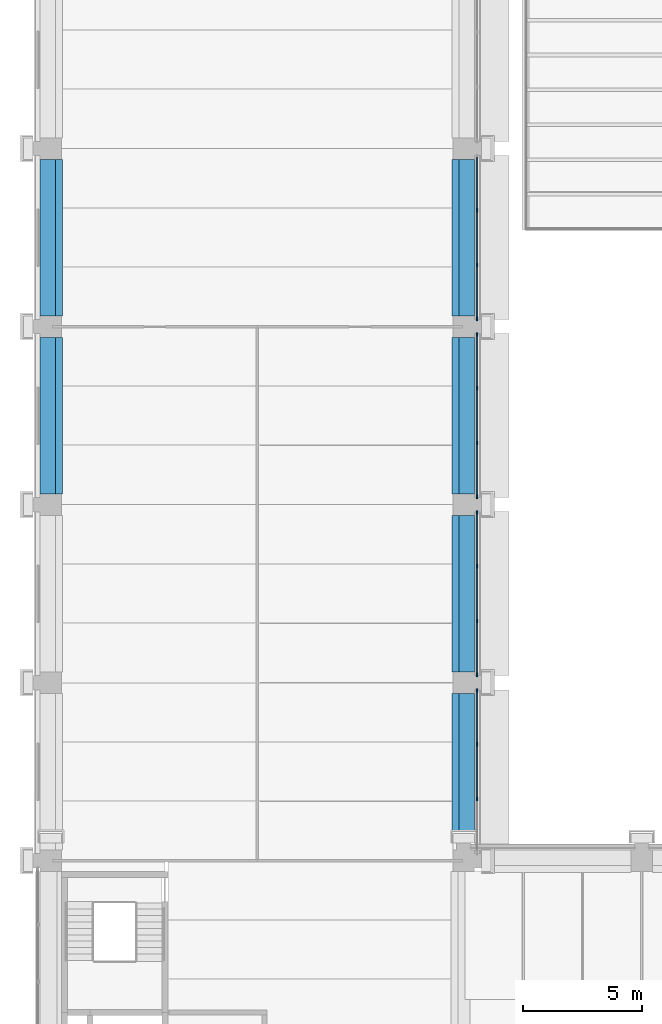
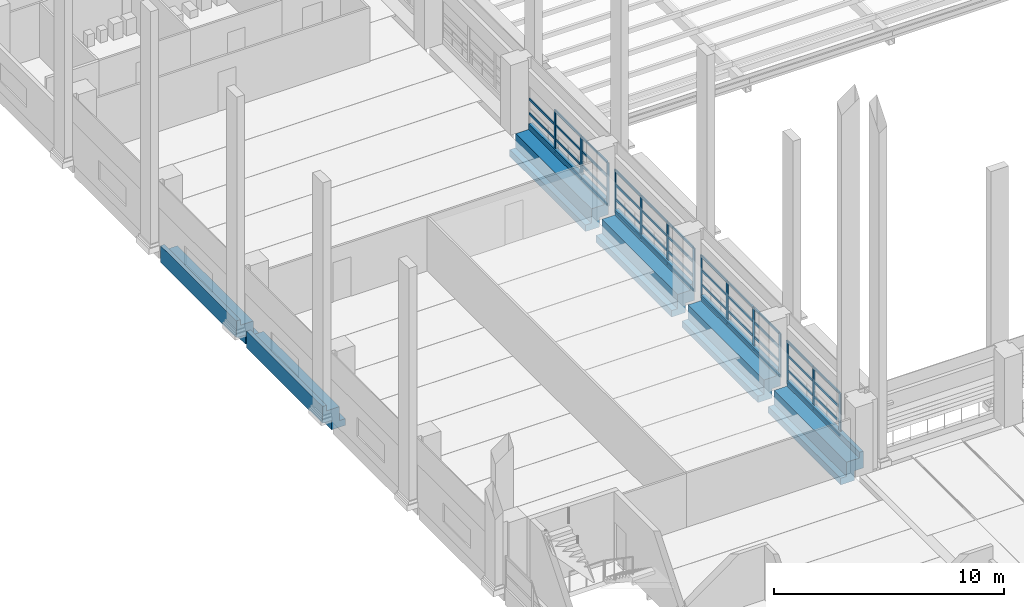
# One storey, part 9 of 67: 57 members, 6 beams, 4 elements without a shape of their own.
"""IFC4 building model written with IfcOpenShell, lengths in metres."""

from ifc_helpers import new_model, si_unit, direction, frame, origin, origin_2d, place, context, subcontext, project, spatial, polyline, rectangle, outline, extrude, material, layer, layer_set, material_profile, profile_set, type_object, element, aggregate, save


model = new_model("IFC4")

# Units and contexts
model_context = context("Model", 3, precision=1e-05, world=origin(), true_north=direction((0.0, 1.0)))
body_context = subcontext(model_context, "Body", "Model", "MODEL_VIEW")
ifc_project = project(units=[si_unit("LENGTHUNIT", "METRE"), si_unit("AREAUNIT", "SQUARE_METRE"), si_unit("VOLUMEUNIT", "CUBIC_METRE"), si_unit("PLANEANGLEUNIT", "RADIAN"), si_unit("MASSUNIT", "GRAM", prefix="KILO")], contexts=[model_context])

# Site, building, storey
site_placement = place(None, origin())
site = spatial("IfcSite", under=ifc_project, at=site_placement, CompositionType="ELEMENT")
building_placement = place(site_placement, origin())
building = spatial("IfcBuilding", under=site, at=building_placement, Name="Cour d'Honneur Mobility Palace", CompositionType="ELEMENT")
storey_placement = place(building_placement, frame((0.0, 0.0, 4.5)))
storey = spatial("IfcBuildingStorey", under=building, at=storey_placement, Name="L01", CompositionType="ELEMENT", Elevation=4.5)

# Curtain wall, members
ifc_material_1 = material(Name="Aluminium and glass", Category="aluminium")
ifc_layer = layer(ifc_material_1, 0.10009765625)
ifc_layer_set = layer_set([ifc_layer], Name="Aluminium and glass")
curtain_wall_type = type_object("IfcCurtainWallType", Name="Curtain wall run", PredefinedType="NOTDEFINED", material=ifc_layer_set)
curtain_wall_1_placement = place(storey_placement, origin())
curtain_wall_1 = element("IfcCurtainWall", 1, at=curtain_wall_1_placement, inside=storey, type_object=curtain_wall_type, Name="Curtain wall CW-16", PredefinedType="NOTDEFINED")
ifc_material_2 = material(Name="Aluminium", Category="aluminium")
ifc_material_profile_1 = material_profile(ifc_material_2, rectangle(XDim=0.06005859375, YDim=0.159912109375, at=origin_2d()), Name="Curtain wall mullion")
ifc_profile_set_1 = profile_set([ifc_material_profile_1], Name="Aluminium")
member_type_1 = type_object("IfcMemberType", Name="Curtain wall mullion", PredefinedType="MULLION", material=ifc_profile_set_1)
member_1_placement = place(storey_placement, frame((17.949951171875, 65.0, 0.0), z_axis=(0.0, 0.0, 1.0), x_axis=(-1.0, 0.0, 0.0)))
member_1 = element("IfcMember", 2, at=member_1_placement, type_object=member_type_1, Name="CW-16 mullion 2", PredefinedType="MULLION", context=body_context, shape_type="SweptSolid", body=[
    extrude(rectangle(XDim=0.06005859375, YDim=0.159912109375, at=origin_2d()), origin(), (0.0, 0.0, 1.0), 2.300048828125),
])
member_2_placement = place(storey_placement, frame((17.949951171875, 67.300048828125, 0.0), z_axis=(0.0, 0.0, 1.0), x_axis=(-1.0, 0.0, 0.0)))
member_2 = element("IfcMember", 3, at=member_2_placement, type_object=member_type_1, Name="CW-16 mullion 3", PredefinedType="MULLION", context=body_context, shape_type="SweptSolid", body=[
    extrude(rectangle(XDim=0.06005859375, YDim=0.159912109375, at=origin_2d()), origin(), (0.0, 0.0, 1.0), 2.300048828125),
])
member_3_placement = place(storey_placement, frame((17.949951171875, 69.570068359375, 0.0), z_axis=(0.0, 0.0, 1.0), x_axis=(-1.0, 0.0, 0.0)))
member_3 = element("IfcMember", 4, at=member_3_placement, type_object=member_type_1, Name="CW-16 mullion 4", PredefinedType="MULLION", context=body_context, shape_type="SweptSolid", body=[
    extrude(rectangle(XDim=0.06005859375, YDim=0.159912109375, at=origin_2d()), origin(), (0.0, 0.0, 1.0), 2.300048828125),
])

curtain_wall_2_placement = place(storey_placement, origin())
curtain_wall_2 = element("IfcCurtainWall", 5, at=curtain_wall_2_placement, inside=storey, type_object=curtain_wall_type, Name="Curtain wall CW-17", PredefinedType="NOTDEFINED")
member_4_placement = place(storey_placement, frame((17.949951171875, 70.22998046875, 0.0), z_axis=(0.0, 0.0, 1.0), x_axis=(-1.0, 0.0, 0.0)))
member_4 = element("IfcMember", 6, at=member_4_placement, type_object=member_type_1, Name="CW-17 mullion 1", PredefinedType="MULLION", context=body_context, shape_type="SweptSolid", body=[
    extrude(rectangle(XDim=0.06005859375, YDim=0.159912109375, at=origin_2d()), origin(), (0.0, 0.0, 1.0), 2.300048828125),
])
member_5_placement = place(storey_placement, frame((17.949951171875, 72.5, 0.0), z_axis=(0.0, 0.0, 1.0), x_axis=(-1.0, 0.0, 0.0)))
member_5 = element("IfcMember", 7, at=member_5_placement, type_object=member_type_1, Name="CW-17 mullion 2", PredefinedType="MULLION", context=body_context, shape_type="SweptSolid", body=[
    extrude(rectangle(XDim=0.06005859375, YDim=0.159912109375, at=origin_2d()), origin(), (0.0, 0.0, 1.0), 2.300048828125),
])
member_6_placement = place(storey_placement, frame((17.949951171875, 74.800048828125, 0.0), z_axis=(0.0, 0.0, 1.0), x_axis=(-1.0, 0.0, 0.0)))
member_6 = element("IfcMember", 8, at=member_6_placement, type_object=member_type_1, Name="CW-17 mullion 3", PredefinedType="MULLION", context=body_context, shape_type="SweptSolid", body=[
    extrude(rectangle(XDim=0.06005859375, YDim=0.159912109375, at=origin_2d()), origin(), (0.0, 0.0, 1.0), 2.300048828125),
])
member_7_placement = place(storey_placement, frame((17.949951171875, 77.070068359375, 0.0), z_axis=(0.0, 0.0, 1.0), x_axis=(-1.0, 0.0, 0.0)))
member_7 = element("IfcMember", 9, at=member_7_placement, type_object=member_type_1, Name="CW-17 mullion 4", PredefinedType="MULLION", context=body_context, shape_type="SweptSolid", body=[
    extrude(rectangle(XDim=0.06005859375, YDim=0.159912109375, at=origin_2d()), origin(), (0.0, 0.0, 1.0), 2.300048828125),
])

curtain_wall_3_placement = place(storey_placement, origin())
curtain_wall_3 = element("IfcCurtainWall", 10, at=curtain_wall_3_placement, inside=storey, type_object=curtain_wall_type, Name="Curtain wall CW-18", PredefinedType="NOTDEFINED")
member_8_placement = place(storey_placement, frame((17.949951171875, 77.72998046875, 0.0), z_axis=(0.0, 0.0, 1.0), x_axis=(-1.0, 0.0, 0.0)))
member_8 = element("IfcMember", 11, at=member_8_placement, type_object=member_type_1, Name="CW-18 mullion 1", PredefinedType="MULLION", context=body_context, shape_type="SweptSolid", body=[
    extrude(rectangle(XDim=0.06005859375, YDim=0.159912109375, at=origin_2d()), origin(), (0.0, 0.0, 1.0), 2.300048828125),
])
member_9_placement = place(storey_placement, frame((17.949951171875, 80.0, 0.0), z_axis=(0.0, 0.0, 1.0), x_axis=(-1.0, 0.0, 0.0)))
member_9 = element("IfcMember", 12, at=member_9_placement, type_object=member_type_1, Name="CW-18 mullion 2", PredefinedType="MULLION", context=body_context, shape_type="SweptSolid", body=[
    extrude(rectangle(XDim=0.06005859375, YDim=0.159912109375, at=origin_2d()), origin(), (0.0, 0.0, 1.0), 2.300048828125),
])
member_10_placement = place(storey_placement, frame((17.949951171875, 82.300048828125, 0.0), z_axis=(0.0, 0.0, 1.0), x_axis=(-1.0, 0.0, 0.0)))
member_10 = element("IfcMember", 13, at=member_10_placement, type_object=member_type_1, Name="CW-18 mullion 3", PredefinedType="MULLION", context=body_context, shape_type="SweptSolid", body=[
    extrude(rectangle(XDim=0.06005859375, YDim=0.159912109375, at=origin_2d()), origin(), (0.0, 0.0, 1.0), 2.300048828125),
])
member_11_placement = place(storey_placement, frame((17.949951171875, 84.570068359375, 0.0), z_axis=(0.0, 0.0, 1.0), x_axis=(-1.0, 0.0, 0.0)))
member_11 = element("IfcMember", 14, at=member_11_placement, type_object=member_type_1, Name="CW-18 mullion 4", PredefinedType="MULLION", context=body_context, shape_type="SweptSolid", body=[
    extrude(rectangle(XDim=0.06005859375, YDim=0.159912109375, at=origin_2d()), origin(), (0.0, 0.0, 1.0), 2.300048828125),
])

curtain_wall_4_placement = place(storey_placement, origin())
curtain_wall_4 = element("IfcCurtainWall", 15, at=curtain_wall_4_placement, inside=storey, type_object=curtain_wall_type, Name="Curtain wall CW-19", PredefinedType="NOTDEFINED")
member_12_placement = place(storey_placement, frame((17.949951171875, 85.22998046875, 0.0), z_axis=(0.0, 0.0, 1.0), x_axis=(-1.0, 0.0, 0.0)))
member_12 = element("IfcMember", 16, at=member_12_placement, type_object=member_type_1, Name="CW-19 mullion 1", PredefinedType="MULLION", context=body_context, shape_type="SweptSolid", body=[
    extrude(rectangle(XDim=0.06005859375, YDim=0.159912109375, at=origin_2d()), origin(), (0.0, 0.0, 1.0), 2.300048828125),
])
member_13_placement = place(storey_placement, frame((17.949951171875, 87.5, 0.0), z_axis=(0.0, 0.0, 1.0), x_axis=(-1.0, 0.0, 0.0)))
member_13 = element("IfcMember", 17, at=member_13_placement, type_object=member_type_1, Name="CW-19 mullion 2", PredefinedType="MULLION", context=body_context, shape_type="SweptSolid", body=[
    extrude(rectangle(XDim=0.06005859375, YDim=0.159912109375, at=origin_2d()), origin(), (0.0, 0.0, 1.0), 2.300048828125),
])
member_14_placement = place(storey_placement, frame((17.949951171875, 89.800048828125, 0.0), z_axis=(0.0, 0.0, 1.0), x_axis=(-1.0, 0.0, 0.0)))
member_14 = element("IfcMember", 18, at=member_14_placement, type_object=member_type_1, Name="CW-19 mullion 3", PredefinedType="MULLION", context=body_context, shape_type="SweptSolid", body=[
    extrude(rectangle(XDim=0.06005859375, YDim=0.159912109375, at=origin_2d()), origin(), (0.0, 0.0, 1.0), 2.300048828125),
])

# Member
ifc_material_3 = material(Name="Aluminium", Category="aluminium")
ifc_material_profile_2 = material_profile(ifc_material_3, rectangle(XDim=0.06005859375, YDim=0.1201171875, at=origin_2d()), Name="Curtain wall transom")
ifc_profile_set_2 = profile_set([ifc_material_profile_2], Name="Aluminium")
member_type_2 = type_object("IfcMemberType", Name="Curtain wall transom", PredefinedType="USERDEFINED", material=ifc_profile_set_2)
member_15_placement = place(storey_placement, frame((17.949951171875, 65.030029296875, 0.030029296875), z_axis=(0.0, 1.0, 0.0), x_axis=(-1.0, 0.0, 0.0)))
member_15 = element("IfcMember", 19, at=member_15_placement, type_object=member_type_2, Name="CW-16 transom 2.1", ObjectType="TRANSOM", PredefinedType="USERDEFINED", context=body_context, shape_type="SweptSolid", body=[
    extrude(rectangle(XDim=0.06005859375, YDim=0.1201171875, at=origin_2d()), origin(), (0.0, 0.0, 1.0), 2.239990234375),
])

member_16_placement = place(storey_placement, frame((17.949951171875, 65.030029296875, 0.7666015625), z_axis=(0.0, 1.0, 0.0), x_axis=(-1.0, 0.0, 0.0)))
member_16 = element("IfcMember", 20, at=member_16_placement, type_object=member_type_2, Name="CW-16 transom 2.2", ObjectType="TRANSOM", PredefinedType="USERDEFINED", context=body_context, shape_type="SweptSolid", body=[
    extrude(rectangle(XDim=0.06005859375, YDim=0.1201171875, at=origin_2d()), origin(), (0.0, 0.0, 1.0), 2.239990234375),
])

member_17_placement = place(storey_placement, frame((17.949951171875, 65.030029296875, 1.533447265625), z_axis=(0.0, 1.0, 0.0), x_axis=(-1.0, 0.0, 0.0)))
member_17 = element("IfcMember", 21, at=member_17_placement, type_object=member_type_2, Name="CW-16 transom 2.3", ObjectType="TRANSOM", PredefinedType="USERDEFINED", context=body_context, shape_type="SweptSolid", body=[
    extrude(rectangle(XDim=0.06005859375, YDim=0.1201171875, at=origin_2d()), origin(), (0.0, 0.0, 1.0), 2.239990234375),
])

member_18_placement = place(storey_placement, frame((17.949951171875, 65.030029296875, 2.27001953125), z_axis=(0.0, 1.0, 0.0), x_axis=(-1.0, 0.0, 0.0)))
member_18 = element("IfcMember", 22, at=member_18_placement, type_object=member_type_2, Name="CW-16 transom 2.4", ObjectType="TRANSOM", PredefinedType="USERDEFINED", context=body_context, shape_type="SweptSolid", body=[
    extrude(rectangle(XDim=0.06005859375, YDim=0.1201171875, at=origin_2d()), origin(), (0.0, 0.0, 1.0), 2.239990234375),
])

member_19_placement = place(storey_placement, frame((17.949951171875, 67.330078125, 0.030029296875), z_axis=(0.0, 1.0, 0.0), x_axis=(-1.0, 0.0, 0.0)))
member_19 = element("IfcMember", 23, at=member_19_placement, type_object=member_type_2, Name="CW-16 transom 3.1", ObjectType="TRANSOM", PredefinedType="USERDEFINED", context=body_context, shape_type="SweptSolid", body=[
    extrude(rectangle(XDim=0.06005859375, YDim=0.1201171875, at=origin_2d()), origin(), (0.0, 0.0, 1.0), 2.2099609375),
])

member_20_placement = place(storey_placement, frame((17.949951171875, 67.330078125, 0.7666015625), z_axis=(0.0, 1.0, 0.0), x_axis=(-1.0, 0.0, 0.0)))
member_20 = element("IfcMember", 24, at=member_20_placement, type_object=member_type_2, Name="CW-16 transom 3.2", ObjectType="TRANSOM", PredefinedType="USERDEFINED", context=body_context, shape_type="SweptSolid", body=[
    extrude(rectangle(XDim=0.06005859375, YDim=0.1201171875, at=origin_2d()), origin(), (0.0, 0.0, 1.0), 2.2099609375),
])

member_21_placement = place(storey_placement, frame((17.949951171875, 67.330078125, 1.533447265625), z_axis=(0.0, 1.0, 0.0), x_axis=(-1.0, 0.0, 0.0)))
member_21 = element("IfcMember", 25, at=member_21_placement, type_object=member_type_2, Name="CW-16 transom 3.3", ObjectType="TRANSOM", PredefinedType="USERDEFINED", context=body_context, shape_type="SweptSolid", body=[
    extrude(rectangle(XDim=0.06005859375, YDim=0.1201171875, at=origin_2d()), origin(), (0.0, 0.0, 1.0), 2.2099609375),
])

member_22_placement = place(storey_placement, frame((17.949951171875, 67.330078125, 2.27001953125), z_axis=(0.0, 1.0, 0.0), x_axis=(-1.0, 0.0, 0.0)))
member_22 = element("IfcMember", 26, at=member_22_placement, type_object=member_type_2, Name="CW-16 transom 3.4", ObjectType="TRANSOM", PredefinedType="USERDEFINED", context=body_context, shape_type="SweptSolid", body=[
    extrude(rectangle(XDim=0.06005859375, YDim=0.1201171875, at=origin_2d()), origin(), (0.0, 0.0, 1.0), 2.2099609375),
])

aggregate(curtain_wall_1, [member_1, member_2, member_3, member_15, member_16, member_17, member_18, member_19, member_20, member_21, member_22])

member_23_placement = place(storey_placement, frame((17.949951171875, 70.260009765625, 0.030029296875), z_axis=(0.0, 1.0, 0.0), x_axis=(-1.0, 0.0, 0.0)))
member_23 = element("IfcMember", 27, at=member_23_placement, type_object=member_type_2, Name="CW-17 transom 1.1", ObjectType="TRANSOM", PredefinedType="USERDEFINED", context=body_context, shape_type="SweptSolid", body=[
    extrude(rectangle(XDim=0.06005859375, YDim=0.1201171875, at=origin_2d()), origin(), (0.0, 0.0, 1.0), 2.2099609375),
])

member_24_placement = place(storey_placement, frame((17.949951171875, 70.260009765625, 0.7666015625), z_axis=(0.0, 1.0, 0.0), x_axis=(-1.0, 0.0, 0.0)))
member_24 = element("IfcMember", 28, at=member_24_placement, type_object=member_type_2, Name="CW-17 transom 1.2", ObjectType="TRANSOM", PredefinedType="USERDEFINED", context=body_context, shape_type="SweptSolid", body=[
    extrude(rectangle(XDim=0.06005859375, YDim=0.1201171875, at=origin_2d()), origin(), (0.0, 0.0, 1.0), 2.2099609375),
])

member_25_placement = place(storey_placement, frame((17.949951171875, 70.260009765625, 1.533447265625), z_axis=(0.0, 1.0, 0.0), x_axis=(-1.0, 0.0, 0.0)))
member_25 = element("IfcMember", 29, at=member_25_placement, type_object=member_type_2, Name="CW-17 transom 1.3", ObjectType="TRANSOM", PredefinedType="USERDEFINED", context=body_context, shape_type="SweptSolid", body=[
    extrude(rectangle(XDim=0.06005859375, YDim=0.1201171875, at=origin_2d()), origin(), (0.0, 0.0, 1.0), 2.2099609375),
])

member_26_placement = place(storey_placement, frame((17.949951171875, 70.260009765625, 2.27001953125), z_axis=(0.0, 1.0, 0.0), x_axis=(-1.0, 0.0, 0.0)))
member_26 = element("IfcMember", 30, at=member_26_placement, type_object=member_type_2, Name="CW-17 transom 1.4", ObjectType="TRANSOM", PredefinedType="USERDEFINED", context=body_context, shape_type="SweptSolid", body=[
    extrude(rectangle(XDim=0.06005859375, YDim=0.1201171875, at=origin_2d()), origin(), (0.0, 0.0, 1.0), 2.2099609375),
])

member_27_placement = place(storey_placement, frame((17.949951171875, 72.530029296875, 0.030029296875), z_axis=(0.0, 1.0, 0.0), x_axis=(-1.0, 0.0, 0.0)))
member_27 = element("IfcMember", 31, at=member_27_placement, type_object=member_type_2, Name="CW-17 transom 2.1", ObjectType="TRANSOM", PredefinedType="USERDEFINED", context=body_context, shape_type="SweptSolid", body=[
    extrude(rectangle(XDim=0.06005859375, YDim=0.1201171875, at=origin_2d()), origin(), (0.0, 0.0, 1.0), 2.239990234375),
])

member_28_placement = place(storey_placement, frame((17.949951171875, 72.530029296875, 0.7666015625), z_axis=(0.0, 1.0, 0.0), x_axis=(-1.0, 0.0, 0.0)))
member_28 = element("IfcMember", 32, at=member_28_placement, type_object=member_type_2, Name="CW-17 transom 2.2", ObjectType="TRANSOM", PredefinedType="USERDEFINED", context=body_context, shape_type="SweptSolid", body=[
    extrude(rectangle(XDim=0.06005859375, YDim=0.1201171875, at=origin_2d()), origin(), (0.0, 0.0, 1.0), 2.239990234375),
])

member_29_placement = place(storey_placement, frame((17.949951171875, 72.530029296875, 1.533447265625), z_axis=(0.0, 1.0, 0.0), x_axis=(-1.0, 0.0, 0.0)))
member_29 = element("IfcMember", 33, at=member_29_placement, type_object=member_type_2, Name="CW-17 transom 2.3", ObjectType="TRANSOM", PredefinedType="USERDEFINED", context=body_context, shape_type="SweptSolid", body=[
    extrude(rectangle(XDim=0.06005859375, YDim=0.1201171875, at=origin_2d()), origin(), (0.0, 0.0, 1.0), 2.239990234375),
])

member_30_placement = place(storey_placement, frame((17.949951171875, 72.530029296875, 2.27001953125), z_axis=(0.0, 1.0, 0.0), x_axis=(-1.0, 0.0, 0.0)))
member_30 = element("IfcMember", 34, at=member_30_placement, type_object=member_type_2, Name="CW-17 transom 2.4", ObjectType="TRANSOM", PredefinedType="USERDEFINED", context=body_context, shape_type="SweptSolid", body=[
    extrude(rectangle(XDim=0.06005859375, YDim=0.1201171875, at=origin_2d()), origin(), (0.0, 0.0, 1.0), 2.239990234375),
])

member_31_placement = place(storey_placement, frame((17.949951171875, 74.830078125, 0.030029296875), z_axis=(0.0, 1.0, 0.0), x_axis=(-1.0, 0.0, 0.0)))
member_31 = element("IfcMember", 35, at=member_31_placement, type_object=member_type_2, Name="CW-17 transom 3.1", ObjectType="TRANSOM", PredefinedType="USERDEFINED", context=body_context, shape_type="SweptSolid", body=[
    extrude(rectangle(XDim=0.06005859375, YDim=0.1201171875, at=origin_2d()), origin(), (0.0, 0.0, 1.0), 2.2099609375),
])

member_32_placement = place(storey_placement, frame((17.949951171875, 74.830078125, 0.7666015625), z_axis=(0.0, 1.0, 0.0), x_axis=(-1.0, 0.0, 0.0)))
member_32 = element("IfcMember", 36, at=member_32_placement, type_object=member_type_2, Name="CW-17 transom 3.2", ObjectType="TRANSOM", PredefinedType="USERDEFINED", context=body_context, shape_type="SweptSolid", body=[
    extrude(rectangle(XDim=0.06005859375, YDim=0.1201171875, at=origin_2d()), origin(), (0.0, 0.0, 1.0), 2.2099609375),
])

member_33_placement = place(storey_placement, frame((17.949951171875, 74.830078125, 1.533447265625), z_axis=(0.0, 1.0, 0.0), x_axis=(-1.0, 0.0, 0.0)))
member_33 = element("IfcMember", 37, at=member_33_placement, type_object=member_type_2, Name="CW-17 transom 3.3", ObjectType="TRANSOM", PredefinedType="USERDEFINED", context=body_context, shape_type="SweptSolid", body=[
    extrude(rectangle(XDim=0.06005859375, YDim=0.1201171875, at=origin_2d()), origin(), (0.0, 0.0, 1.0), 2.2099609375),
])

member_34_placement = place(storey_placement, frame((17.949951171875, 74.830078125, 2.27001953125), z_axis=(0.0, 1.0, 0.0), x_axis=(-1.0, 0.0, 0.0)))
member_34 = element("IfcMember", 38, at=member_34_placement, type_object=member_type_2, Name="CW-17 transom 3.4", ObjectType="TRANSOM", PredefinedType="USERDEFINED", context=body_context, shape_type="SweptSolid", body=[
    extrude(rectangle(XDim=0.06005859375, YDim=0.1201171875, at=origin_2d()), origin(), (0.0, 0.0, 1.0), 2.2099609375),
])

aggregate(curtain_wall_2, [member_4, member_5, member_6, member_7, member_23, member_24, member_25, member_26, member_27, member_28, member_29, member_30, member_31, member_32, member_33, member_34])

member_35_placement = place(storey_placement, frame((17.949951171875, 77.760009765625, 0.030029296875), z_axis=(0.0, 1.0, 0.0), x_axis=(-1.0, 0.0, 0.0)))
member_35 = element("IfcMember", 39, at=member_35_placement, type_object=member_type_2, Name="CW-18 transom 1.1", ObjectType="TRANSOM", PredefinedType="USERDEFINED", context=body_context, shape_type="SweptSolid", body=[
    extrude(rectangle(XDim=0.06005859375, YDim=0.1201171875, at=origin_2d()), origin(), (0.0, 0.0, 1.0), 2.2099609375),
])

member_36_placement = place(storey_placement, frame((17.949951171875, 77.760009765625, 0.7666015625), z_axis=(0.0, 1.0, 0.0), x_axis=(-1.0, 0.0, 0.0)))
member_36 = element("IfcMember", 40, at=member_36_placement, type_object=member_type_2, Name="CW-18 transom 1.2", ObjectType="TRANSOM", PredefinedType="USERDEFINED", context=body_context, shape_type="SweptSolid", body=[
    extrude(rectangle(XDim=0.06005859375, YDim=0.1201171875, at=origin_2d()), origin(), (0.0, 0.0, 1.0), 2.2099609375),
])

member_37_placement = place(storey_placement, frame((17.949951171875, 77.760009765625, 1.533447265625), z_axis=(0.0, 1.0, 0.0), x_axis=(-1.0, 0.0, 0.0)))
member_37 = element("IfcMember", 41, at=member_37_placement, type_object=member_type_2, Name="CW-18 transom 1.3", ObjectType="TRANSOM", PredefinedType="USERDEFINED", context=body_context, shape_type="SweptSolid", body=[
    extrude(rectangle(XDim=0.06005859375, YDim=0.1201171875, at=origin_2d()), origin(), (0.0, 0.0, 1.0), 2.2099609375),
])

member_38_placement = place(storey_placement, frame((17.949951171875, 77.760009765625, 2.27001953125), z_axis=(0.0, 1.0, 0.0), x_axis=(-1.0, 0.0, 0.0)))
member_38 = element("IfcMember", 42, at=member_38_placement, type_object=member_type_2, Name="CW-18 transom 1.4", ObjectType="TRANSOM", PredefinedType="USERDEFINED", context=body_context, shape_type="SweptSolid", body=[
    extrude(rectangle(XDim=0.06005859375, YDim=0.1201171875, at=origin_2d()), origin(), (0.0, 0.0, 1.0), 2.2099609375),
])

member_39_placement = place(storey_placement, frame((17.949951171875, 80.030029296875, 0.030029296875), z_axis=(0.0, 1.0, 0.0), x_axis=(-1.0, 0.0, 0.0)))
member_39 = element("IfcMember", 43, at=member_39_placement, type_object=member_type_2, Name="CW-18 transom 2.1", ObjectType="TRANSOM", PredefinedType="USERDEFINED", context=body_context, shape_type="SweptSolid", body=[
    extrude(rectangle(XDim=0.06005859375, YDim=0.1201171875, at=origin_2d()), origin(), (0.0, 0.0, 1.0), 2.239990234375),
])

member_40_placement = place(storey_placement, frame((17.949951171875, 80.030029296875, 0.7666015625), z_axis=(0.0, 1.0, 0.0), x_axis=(-1.0, 0.0, 0.0)))
member_40 = element("IfcMember", 44, at=member_40_placement, type_object=member_type_2, Name="CW-18 transom 2.2", ObjectType="TRANSOM", PredefinedType="USERDEFINED", context=body_context, shape_type="SweptSolid", body=[
    extrude(rectangle(XDim=0.06005859375, YDim=0.1201171875, at=origin_2d()), origin(), (0.0, 0.0, 1.0), 2.239990234375),
])

member_41_placement = place(storey_placement, frame((17.949951171875, 80.030029296875, 1.533447265625), z_axis=(0.0, 1.0, 0.0), x_axis=(-1.0, 0.0, 0.0)))
member_41 = element("IfcMember", 45, at=member_41_placement, type_object=member_type_2, Name="CW-18 transom 2.3", ObjectType="TRANSOM", PredefinedType="USERDEFINED", context=body_context, shape_type="SweptSolid", body=[
    extrude(rectangle(XDim=0.06005859375, YDim=0.1201171875, at=origin_2d()), origin(), (0.0, 0.0, 1.0), 2.239990234375),
])

member_42_placement = place(storey_placement, frame((17.949951171875, 80.030029296875, 2.27001953125), z_axis=(0.0, 1.0, 0.0), x_axis=(-1.0, 0.0, 0.0)))
member_42 = element("IfcMember", 46, at=member_42_placement, type_object=member_type_2, Name="CW-18 transom 2.4", ObjectType="TRANSOM", PredefinedType="USERDEFINED", context=body_context, shape_type="SweptSolid", body=[
    extrude(rectangle(XDim=0.06005859375, YDim=0.1201171875, at=origin_2d()), origin(), (0.0, 0.0, 1.0), 2.239990234375),
])

member_43_placement = place(storey_placement, frame((17.949951171875, 82.330078125, 0.030029296875), z_axis=(0.0, 1.0, 0.0), x_axis=(-1.0, 0.0, 0.0)))
member_43 = element("IfcMember", 47, at=member_43_placement, type_object=member_type_2, Name="CW-18 transom 3.1", ObjectType="TRANSOM", PredefinedType="USERDEFINED", context=body_context, shape_type="SweptSolid", body=[
    extrude(rectangle(XDim=0.06005859375, YDim=0.1201171875, at=origin_2d()), origin(), (0.0, 0.0, 1.0), 2.2099609375),
])

member_44_placement = place(storey_placement, frame((17.949951171875, 82.330078125, 0.7666015625), z_axis=(0.0, 1.0, 0.0), x_axis=(-1.0, 0.0, 0.0)))
member_44 = element("IfcMember", 48, at=member_44_placement, type_object=member_type_2, Name="CW-18 transom 3.2", ObjectType="TRANSOM", PredefinedType="USERDEFINED", context=body_context, shape_type="SweptSolid", body=[
    extrude(rectangle(XDim=0.06005859375, YDim=0.1201171875, at=origin_2d()), origin(), (0.0, 0.0, 1.0), 2.2099609375),
])

member_45_placement = place(storey_placement, frame((17.949951171875, 82.330078125, 1.533447265625), z_axis=(0.0, 1.0, 0.0), x_axis=(-1.0, 0.0, 0.0)))
member_45 = element("IfcMember", 49, at=member_45_placement, type_object=member_type_2, Name="CW-18 transom 3.3", ObjectType="TRANSOM", PredefinedType="USERDEFINED", context=body_context, shape_type="SweptSolid", body=[
    extrude(rectangle(XDim=0.06005859375, YDim=0.1201171875, at=origin_2d()), origin(), (0.0, 0.0, 1.0), 2.2099609375),
])

member_46_placement = place(storey_placement, frame((17.949951171875, 82.330078125, 2.27001953125), z_axis=(0.0, 1.0, 0.0), x_axis=(-1.0, 0.0, 0.0)))
member_46 = element("IfcMember", 50, at=member_46_placement, type_object=member_type_2, Name="CW-18 transom 3.4", ObjectType="TRANSOM", PredefinedType="USERDEFINED", context=body_context, shape_type="SweptSolid", body=[
    extrude(rectangle(XDim=0.06005859375, YDim=0.1201171875, at=origin_2d()), origin(), (0.0, 0.0, 1.0), 2.2099609375),
])

aggregate(curtain_wall_3, [member_8, member_9, member_10, member_11, member_35, member_36, member_37, member_38, member_39, member_40, member_41, member_42, member_43, member_44, member_45, member_46])

member_47_placement = place(storey_placement, frame((17.949951171875, 85.260009765625, 0.030029296875), z_axis=(0.0, 1.0, 0.0), x_axis=(-1.0, 0.0, 0.0)))
member_47 = element("IfcMember", 51, at=member_47_placement, type_object=member_type_2, Name="CW-19 transom 1.1", ObjectType="TRANSOM", PredefinedType="USERDEFINED", context=body_context, shape_type="SweptSolid", body=[
    extrude(rectangle(XDim=0.06005859375, YDim=0.1201171875, at=origin_2d()), origin(), (0.0, 0.0, 1.0), 2.2099609375),
])

member_48_placement = place(storey_placement, frame((17.949951171875, 85.260009765625, 0.7666015625), z_axis=(0.0, 1.0, 0.0), x_axis=(-1.0, 0.0, 0.0)))
member_48 = element("IfcMember", 52, at=member_48_placement, type_object=member_type_2, Name="CW-19 transom 1.2", ObjectType="TRANSOM", PredefinedType="USERDEFINED", context=body_context, shape_type="SweptSolid", body=[
    extrude(rectangle(XDim=0.06005859375, YDim=0.1201171875, at=origin_2d()), origin(), (0.0, 0.0, 1.0), 2.2099609375),
])

member_49_placement = place(storey_placement, frame((17.949951171875, 85.260009765625, 1.533447265625), z_axis=(0.0, 1.0, 0.0), x_axis=(-1.0, 0.0, 0.0)))
member_49 = element("IfcMember", 53, at=member_49_placement, type_object=member_type_2, Name="CW-19 transom 1.3", ObjectType="TRANSOM", PredefinedType="USERDEFINED", context=body_context, shape_type="SweptSolid", body=[
    extrude(rectangle(XDim=0.06005859375, YDim=0.1201171875, at=origin_2d()), origin(), (0.0, 0.0, 1.0), 2.2099609375),
])

member_50_placement = place(storey_placement, frame((17.949951171875, 85.260009765625, 2.27001953125), z_axis=(0.0, 1.0, 0.0), x_axis=(-1.0, 0.0, 0.0)))
member_50 = element("IfcMember", 54, at=member_50_placement, type_object=member_type_2, Name="CW-19 transom 1.4", ObjectType="TRANSOM", PredefinedType="USERDEFINED", context=body_context, shape_type="SweptSolid", body=[
    extrude(rectangle(XDim=0.06005859375, YDim=0.1201171875, at=origin_2d()), origin(), (0.0, 0.0, 1.0), 2.2099609375),
])

member_51_placement = place(storey_placement, frame((17.949951171875, 87.530029296875, 0.030029296875), z_axis=(0.0, 1.0, 0.0), x_axis=(-1.0, 0.0, 0.0)))
member_51 = element("IfcMember", 55, at=member_51_placement, type_object=member_type_2, Name="CW-19 transom 2.1", ObjectType="TRANSOM", PredefinedType="USERDEFINED", context=body_context, shape_type="SweptSolid", body=[
    extrude(rectangle(XDim=0.06005859375, YDim=0.1201171875, at=origin_2d()), origin(), (0.0, 0.0, 1.0), 2.239990234375),
])

member_52_placement = place(storey_placement, frame((17.949951171875, 87.530029296875, 0.7666015625), z_axis=(0.0, 1.0, 0.0), x_axis=(-1.0, 0.0, 0.0)))
member_52 = element("IfcMember", 56, at=member_52_placement, type_object=member_type_2, Name="CW-19 transom 2.2", ObjectType="TRANSOM", PredefinedType="USERDEFINED", context=body_context, shape_type="SweptSolid", body=[
    extrude(rectangle(XDim=0.06005859375, YDim=0.1201171875, at=origin_2d()), origin(), (0.0, 0.0, 1.0), 2.239990234375),
])

member_53_placement = place(storey_placement, frame((17.949951171875, 87.530029296875, 1.533447265625), z_axis=(0.0, 1.0, 0.0), x_axis=(-1.0, 0.0, 0.0)))
member_53 = element("IfcMember", 57, at=member_53_placement, type_object=member_type_2, Name="CW-19 transom 2.3", ObjectType="TRANSOM", PredefinedType="USERDEFINED", context=body_context, shape_type="SweptSolid", body=[
    extrude(rectangle(XDim=0.06005859375, YDim=0.1201171875, at=origin_2d()), origin(), (0.0, 0.0, 1.0), 2.239990234375),
])

member_54_placement = place(storey_placement, frame((17.949951171875, 87.530029296875, 2.27001953125), z_axis=(0.0, 1.0, 0.0), x_axis=(-1.0, 0.0, 0.0)))
member_54 = element("IfcMember", 58, at=member_54_placement, type_object=member_type_2, Name="CW-19 transom 2.4", ObjectType="TRANSOM", PredefinedType="USERDEFINED", context=body_context, shape_type="SweptSolid", body=[
    extrude(rectangle(XDim=0.06005859375, YDim=0.1201171875, at=origin_2d()), origin(), (0.0, 0.0, 1.0), 2.239990234375),
])

member_55_placement = place(storey_placement, frame((17.949951171875, 89.830078125, 0.030029296875), z_axis=(0.0, 1.0, 0.0), x_axis=(-1.0, 0.0, 0.0)))
member_55 = element("IfcMember", 59, at=member_55_placement, type_object=member_type_2, Name="CW-19 transom 3.1", ObjectType="TRANSOM", PredefinedType="USERDEFINED", context=body_context, shape_type="SweptSolid", body=[
    extrude(rectangle(XDim=0.06005859375, YDim=0.1201171875, at=origin_2d()), origin(), (0.0, 0.0, 1.0), 2.2099609375),
])

member_56_placement = place(storey_placement, frame((17.949951171875, 89.830078125, 0.7666015625), z_axis=(0.0, 1.0, 0.0), x_axis=(-1.0, 0.0, 0.0)))
member_56 = element("IfcMember", 60, at=member_56_placement, type_object=member_type_2, Name="CW-19 transom 3.2", ObjectType="TRANSOM", PredefinedType="USERDEFINED", context=body_context, shape_type="SweptSolid", body=[
    extrude(rectangle(XDim=0.06005859375, YDim=0.1201171875, at=origin_2d()), origin(), (0.0, 0.0, 1.0), 2.2099609375),
])

member_57_placement = place(storey_placement, frame((17.949951171875, 89.830078125, 1.533447265625), z_axis=(0.0, 1.0, 0.0), x_axis=(-1.0, 0.0, 0.0)))
member_57 = element("IfcMember", 61, at=member_57_placement, type_object=member_type_2, Name="CW-19 transom 3.3", ObjectType="TRANSOM", PredefinedType="USERDEFINED", context=body_context, shape_type="SweptSolid", body=[
    extrude(rectangle(XDim=0.06005859375, YDim=0.1201171875, at=origin_2d()), origin(), (0.0, 0.0, 1.0), 2.2099609375),
])

aggregate(curtain_wall_4, [member_12, member_13, member_14, member_47, member_48, member_49, member_50, member_51, member_52, member_53, member_54, member_55, member_56, member_57])

# Beams
ifc_material_4 = material(Name="Concrete C45", Category="concrete")
ifc_material_profile_3 = material_profile(ifc_material_4, outline(polyline([(0.5, -1.10009765625), (0.5, -0.75), (0.199951171875, -0.75), (0.199951171875, 0.0), (-0.199951171875, 0.0), (-0.449951171875, 0.0), (-0.449951171875, 0.300048828125), (-0.64990234375, 0.300048828125), (-0.64990234375, -0.60009765625), (-0.199951171875, -0.60009765625), (-0.199951171875, -1.10009765625), (0.5, -1.10009765625)])), Name="Ledger Beam 400x1100 ledge left 350 facade right")
ifc_profile_set_3 = profile_set([ifc_material_profile_3], Name="Concrete C45")
beam_type_1 = type_object("IfcBeamType", Name="Ledger Beam 400x1100 ledge left 350 facade right", PredefinedType="BEAM", material=ifc_profile_set_3)
beam_placement = place(storey_placement, frame((17.39990234375, 63.14990234375, 0.0), z_axis=(0.0, 1.0, 0.0), x_axis=(-1.0, 0.0, 0.0)))
element("IfcBeam", 62, at=beam_placement, inside=storey, type_object=beam_type_1, Name="Precast beam B2 H-J L01", PredefinedType="BEAM", context=body_context, shape_type="SweptSolid", body=[
    extrude(outline(polyline([(0.5, -1.10009765625), (0.5, -0.75), (0.199951171875, -0.75), (0.199951171875, 0.0), (-0.199951171875, 0.0), (-0.449951171875, 0.0), (-0.449951171875, 0.300048828125), (-0.64990234375, 0.300048828125), (-0.64990234375, -0.60009765625), (-0.199951171875, -0.60009765625), (-0.199951171875, -1.10009765625), (0.5, -1.10009765625)])), origin(), (0.0, 0.0, 1.0), 6.300048828125),
])
for number, where, z_axis, x_axis, name in (
    (63, (17.39990234375, 70.35009765625, 0.0), (0.0, 1.0, 0.0), (-1.0, 0.0, 0.0), "Precast beam B2 J-K L01"),
    (64, (17.39990234375, 77.85009765625, 0.0), (0.0, 1.0, 0.0), (-1.0, 0.0, 0.0), "Precast beam B2 K-L L01"),
    (65, (17.39990234375, 85.35009765625, 0.0), (0.0, 1.0, 0.0), (-1.0, 0.0, 0.0), "Precast beam B2 L-M L01"),
):
    element("IfcBeam", number, at=place(storey_placement, frame(where, z_axis=z_axis, x_axis=x_axis)), inside=storey, type_object=beam_type_1, Name=name, PredefinedType="BEAM", context=body_context, shape_type="SweptSolid", body=[
        extrude(outline(polyline([(0.5, -1.10009765625), (0.5, -0.75), (0.199951171875, -0.75), (0.199951171875, 0.0), (-0.199951171875, 0.0), (-0.449951171875, 0.0), (-0.449951171875, 0.300048828125), (-0.64990234375, 0.300048828125), (-0.64990234375, -0.60009765625), (-0.199951171875, -0.60009765625), (-0.199951171875, -1.10009765625), (0.5, -1.10009765625)])), origin(), (0.0, 0.0, 1.0), 6.599853515625),
    ])
ifc_material_5 = material(Name="Concrete C45", Category="concrete")
ifc_material_profile_4 = material_profile(ifc_material_5, outline(polyline([(0.199951171875, -1.10009765625), (0.199951171875, -0.60009765625), (0.64990234375, -0.60009765625), (0.64990234375, 0.300048828125), (0.449951171875, 0.300048828125), (0.449951171875, 0.0), (0.199951171875, 0.0), (-0.199951171875, 0.0), (-0.199951171875, -0.75), (-0.5, -0.75), (-0.5, -1.10009765625), (0.199951171875, -1.10009765625)])), Name="Ledger Beam 400x1100 ledge right 350 facade left")
ifc_profile_set_4 = profile_set([ifc_material_profile_4], Name="Concrete C45")
beam_type_2 = type_object("IfcBeamType", Name="Ledger Beam 400x1100 ledge right 350 facade left", PredefinedType="BEAM", material=ifc_profile_set_4)
for number, where, z_axis, x_axis, name in (
    (66, (0.0, 77.85009765625, 0.0), (0.0, 1.0, 0.0), (-1.0, 0.0, 0.0), "Precast beam B4 K-L L01"),
    (67, (0.0, 85.35009765625, 0.0), (0.0, 1.0, 0.0), (-1.0, 0.0, 0.0), "Precast beam B4 L-M L01"),
):
    element("IfcBeam", number, at=place(storey_placement, frame(where, z_axis=z_axis, x_axis=x_axis)), inside=storey, type_object=beam_type_2, Name=name, PredefinedType="BEAM", context=body_context, shape_type="SweptSolid", body=[
        extrude(outline(polyline([(0.199951171875, -1.10009765625), (0.199951171875, -0.60009765625), (0.64990234375, -0.60009765625), (0.64990234375, 0.300048828125), (0.449951171875, 0.300048828125), (0.449951171875, 0.0), (0.199951171875, 0.0), (-0.199951171875, 0.0), (-0.199951171875, -0.75), (-0.5, -0.75), (-0.5, -1.10009765625), (0.199951171875, -1.10009765625)])), origin(), (0.0, 0.0, 1.0), 6.599853515625),
    ])

save(model, "model.ifc")
